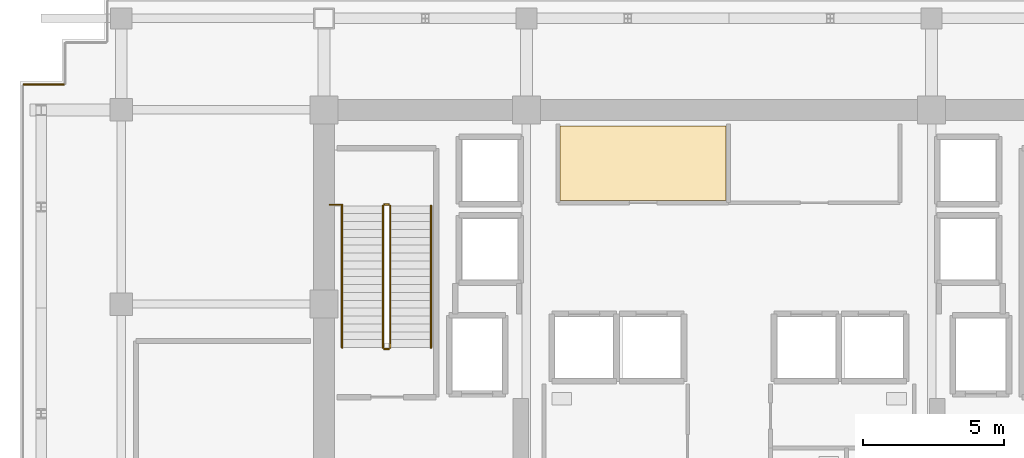
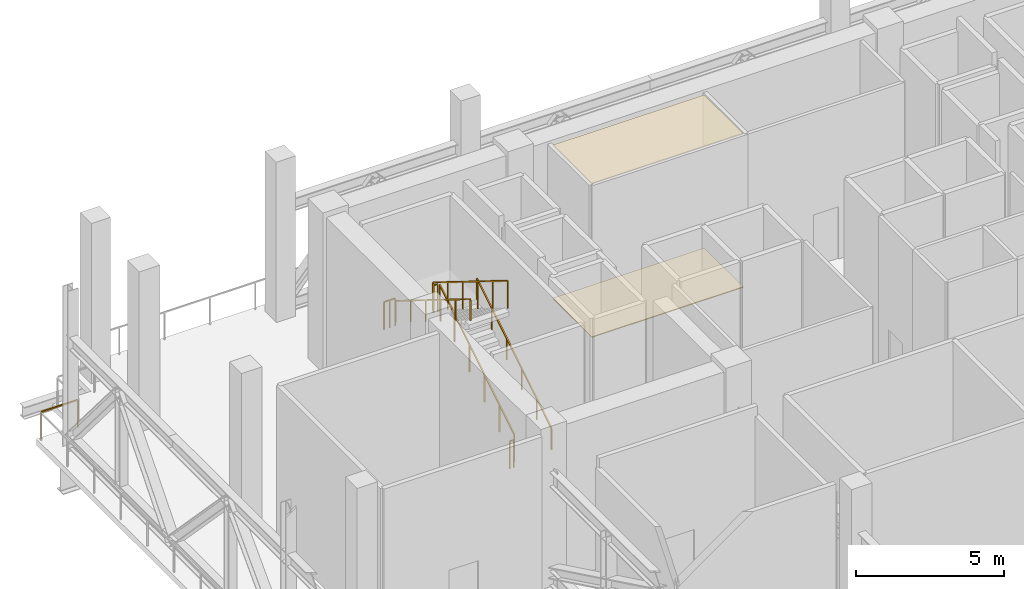
# One storey, part 10 of 13: 8 railings, 2 coverings.
"""IFC4 building model written with IfcOpenShell, lengths in metres."""

from ifc_helpers import new_model, si_unit, direction, frame, origin, origin_2d, place, context, subcontext, project, spatial, polyline, rectangle, outline, extrude, material, layer, layer_set, type_object, element, save


model = new_model("IFC4")

# Units and contexts
model_context = context("Model", 3, precision=1e-05, world=origin(), true_north=direction((0.0, 1.0)))
body_context = subcontext(model_context, "Body", "Model", "MODEL_VIEW")
ifc_project = project(units=[si_unit("LENGTHUNIT", "METRE"), si_unit("AREAUNIT", "SQUARE_METRE"), si_unit("VOLUMEUNIT", "CUBIC_METRE"), si_unit("PLANEANGLEUNIT", "RADIAN"), si_unit("MASSUNIT", "GRAM", prefix="KILO")], contexts=[model_context])

# Site, building, storey
site_placement = place(None, origin())
site = spatial("IfcSite", under=ifc_project, at=site_placement, CompositionType="ELEMENT")
building_placement = place(site_placement, origin())
building = spatial("IfcBuilding", under=site, at=building_placement, Name="Zarnakvel Exchange Tower", CompositionType="ELEMENT")
storey_placement = place(building_placement, frame((0.0, 0.0, 139.60009765625)))
storey = spatial("IfcBuildingStorey", under=building, at=storey_placement, Name="L39", CompositionType="ELEMENT", Elevation=139.60009765625)

# Coverings
ifc_material_1 = material(Name="Perforated Bronze Acoustic Metal Ceiling", Category="aluminium")
ifc_layer_1 = layer(ifc_material_1, 0.02001953125)
ifc_layer_set_1 = layer_set([ifc_layer_1], Name="Perforated Bronze Acoustic Metal Ceiling")
covering_type_1 = type_object("IfcCoveringType", Name="CLG-01", PredefinedType="CEILING", material=ifc_layer_set_1)
covering_1_placement = place(storey_placement, frame((0.0, 0.0, 6.31494140625)))
element("IfcCovering", 1, at=covering_1_placement, inside=storey, type_object=covering_type_1, Name="L39 Suspended Acoustic Ceiling (Settlement Records Suite)", PredefinedType="CEILING", context=body_context, shape_type="SweptSolid", body=[
    extrude(outline(polyline([(-6.0, 12.919921875), (-0.10009765625, 12.919921875), (-0.10009765625, 10.280029296875), (-6.0, 10.280029296875), (-6.0, 12.919921875)])), origin(), (0.0, 0.0, 1.0), 0.02001953125),
])
ifc_material_2 = material(Name="Heavy-Duty Raised Access Floor Panel", Category="steel")
ifc_layer_2 = layer(ifc_material_2, 0.034912109375)
ifc_layer_set_2 = layer_set([ifc_layer_2], Name="Heavy-Duty Raised Access Floor Panel")
covering_type_2 = type_object("IfcCoveringType", Name="FLR-02", PredefinedType="FLOORING", material=ifc_layer_set_2)
covering_2_placement = place(storey_placement, origin())
element("IfcCovering", 2, at=covering_2_placement, inside=storey, type_object=covering_type_2, Name="L39 Floor Finish (Settlement Records Suite)", PredefinedType="FLOORING", context=body_context, shape_type="SweptSolid", body=[
    extrude(outline(polyline([(-6.0, 12.919921875), (-0.10009765625, 12.919921875), (-0.10009765625, 10.280029296875), (-6.0, 10.280029296875), (-6.0, 12.919921875)])), origin(), (0.0, 0.0, 1.0), 0.034912109375),
])

# Railings
ifc_material_3 = material(Name="Architectural Bronze Anodised Aluminium", Category="aluminium")
railing_type_1 = type_object("IfcRailingType", Name="GR-01", PredefinedType="GUARDRAIL", material=ifc_material_3)
railing_1_placement = place(storey_placement, frame((-25.06005859375, 14.39990234375, 0.0)))
element("IfcRailing", 3, at=railing_1_placement, inside=storey, type_object=railing_type_1, Name="L39 Perimeter Guardrail GR-L39-PERIM-02 (GR-01)", PredefinedType="GUARDRAIL", context=body_context, shape_type="SweptSolid", body=[
    extrude(rectangle(XDim=0.048095703125, YDim=0.048095703125, at=origin_2d()), frame((0.0, 0.0, 1.1259765625), z_axis=(1.0, 0.0, 0.0), x_axis=(0.0, 1.0, 0.0)), (0.0, 0.0, 1.0), 1.420166015625),
    extrude(rectangle(XDim=0.0419921875, YDim=0.0419921875, at=origin_2d()), origin(), (0.0, 0.0, 1.0), 1.101806640625),
    extrude(rectangle(XDim=0.0419921875, YDim=0.0419921875, at=origin_2d()), frame((1.420166015625, 0.0, 0.0)), (0.0, 0.0, 1.0), 1.101806640625),
])
ifc_material_4 = material(Name="Brushed Stainless Steel", Category="steel")
railing_type_2 = type_object("IfcRailingType", Name="HR-01", PredefinedType="HANDRAIL", material=ifc_material_4)
railing_2_placement = place(storey_placement, frame((-10.590087890625, 5.050048828125, 0.173583984375)))
element("IfcRailing", 4, at=railing_2_placement, inside=storey, type_object=railing_type_2, Name="L39 ST-01 stair handrail 1", PredefinedType="HANDRAIL", context=body_context, shape_type="SweptSolid", body=[
    extrude(rectangle(XDim=0.048095703125, YDim=0.048095703125, at=origin_2d()), frame((0.0, 0.0, 0.8759765625), z_axis=(0.0, 0.849797224451, 0.527109739348), x_axis=(-1.0, 0.0, 0.0)), (0.0, 0.0, 1.0), 5.930908203125),
    extrude(rectangle(XDim=0.0419921875, YDim=0.0419921875, at=origin_2d()), origin(), (0.0, 0.0, 1.0), 0.851806640625),
    extrude(rectangle(XDim=0.0419921875, YDim=0.0419921875, at=origin_2d()), frame((0.0, 1.008056640625, 0.625244140625)), (0.0, 0.0, 1.0), 0.851806640625),
    extrude(rectangle(XDim=0.0419921875, YDim=0.0419921875, at=origin_2d()), frame((0.0, 2.01611328125, 1.25048828125)), (0.0, 0.0, 1.0), 0.851806640625),
    extrude(rectangle(XDim=0.0419921875, YDim=0.0419921875, at=origin_2d()), frame((0.0, 3.02392578125, 1.875732421875)), (0.0, 0.0, 1.0), 0.851806640625),
    extrude(rectangle(XDim=0.0419921875, YDim=0.0419921875, at=origin_2d()), frame((0.0, 4.031982421875, 2.5009765625)), (0.0, 0.0, 1.0), 0.851806640625),
    extrude(rectangle(XDim=0.0419921875, YDim=0.0419921875, at=origin_2d()), frame((0.0, 5.0400390625, 3.126220703125)), (0.0, 0.0, 1.0), 0.851806640625),
])
railing_3_placement = place(storey_placement, frame((-13.75, 10.090087890625, 3.4736328125)))
element("IfcRailing", 5, at=railing_3_placement, inside=storey, type_object=railing_type_2, Name="L39 ST-01 stair handrail 2", PredefinedType="HANDRAIL", context=body_context, shape_type="SweptSolid", body=[
    extrude(rectangle(XDim=0.048095703125, YDim=0.048095703125, at=origin_2d()), frame((0.0, 0.0, 0.8759765625), z_axis=(0.0, -0.849797224451, 0.527109739348), x_axis=(1.0, 0.0, 0.0)), (0.0, 0.0, 1.0), 5.930908203125),
    extrude(rectangle(XDim=0.0419921875, YDim=0.0419921875, at=origin_2d()), origin(), (0.0, 0.0, 1.0), 0.851806640625),
    extrude(rectangle(XDim=0.0419921875, YDim=0.0419921875, at=origin_2d()), frame((0.0, -1.008056640625, 0.625244140625)), (0.0, 0.0, 1.0), 0.851806640625),
    extrude(rectangle(XDim=0.0419921875, YDim=0.0419921875, at=origin_2d()), frame((0.0, -2.01611328125, 1.25048828125)), (0.0, 0.0, 1.0), 0.851806640625),
    extrude(rectangle(XDim=0.0419921875, YDim=0.0419921875, at=origin_2d()), frame((0.0, -3.02392578125, 1.875732421875)), (0.0, 0.0, 1.0), 0.851806640625),
    extrude(rectangle(XDim=0.0419921875, YDim=0.0419921875, at=origin_2d()), frame((0.0, -4.031982421875, 2.5009765625)), (0.0, 0.0, 1.0), 0.851806640625),
    extrude(rectangle(XDim=0.0419921875, YDim=0.0419921875, at=origin_2d()), frame((0.0, -5.0400390625, 3.126220703125)), (0.0, 0.0, 1.0), 0.851806640625),
])
railing_type_3 = type_object("IfcRailingType", Name="SG-01", PredefinedType="GUARDRAIL", material=ifc_material_3)
railing_4_placement = place(storey_placement, frame((-12.0400390625, 5.050048828125, 0.173583984375)))
element("IfcRailing", 6, at=railing_4_placement, inside=storey, type_object=railing_type_3, Name="L39 ST-01 stair guard 1", PredefinedType="GUARDRAIL", context=body_context, shape_type="SweptSolid", body=[
    extrude(rectangle(XDim=0.048095703125, YDim=0.048095703125, at=origin_2d()), frame((0.0, 0.0, 1.1259765625), z_axis=(0.0, 0.849797224451, 0.527109739348), x_axis=(-1.0, 0.0, 0.0)), (0.0, 0.0, 1.0), 5.930908203125),
    extrude(rectangle(XDim=0.0419921875, YDim=0.0419921875, at=origin_2d()), origin(), (0.0, 0.0, 1.0), 1.101806640625),
    extrude(rectangle(XDim=0.0419921875, YDim=0.0419921875, at=origin_2d()), frame((0.0, 1.008056640625, 0.625244140625)), (0.0, 0.0, 1.0), 1.101806640625),
    extrude(rectangle(XDim=0.0419921875, YDim=0.0419921875, at=origin_2d()), frame((0.0, 2.01611328125, 1.25048828125)), (0.0, 0.0, 1.0), 1.101806640625),
    extrude(rectangle(XDim=0.0419921875, YDim=0.0419921875, at=origin_2d()), frame((0.0, 3.02392578125, 1.875732421875)), (0.0, 0.0, 1.0), 1.101806640625),
    extrude(rectangle(XDim=0.0419921875, YDim=0.0419921875, at=origin_2d()), frame((0.0, 4.031982421875, 2.5009765625)), (0.0, 0.0, 1.0), 1.101806640625),
    extrude(rectangle(XDim=0.0419921875, YDim=0.0419921875, at=origin_2d()), frame((0.0, 5.0400390625, 3.126220703125)), (0.0, 0.0, 1.0), 1.101806640625),
])
railing_5_placement = place(storey_placement, frame((-12.090087890625, 10.139892578125, 3.2998046875)))
element("IfcRailing", 7, at=railing_5_placement, inside=storey, type_object=railing_type_3, Name="L39 ST-01 stair guard 2", PredefinedType="GUARDRAIL", context=body_context, shape_type="SweptSolid", body=[
    extrude(rectangle(XDim=0.048095703125, YDim=0.048095703125, at=origin_2d()), frame((0.0, 0.0, 1.1259765625), z_axis=(-1.0, 0.0, 0.0), x_axis=(0.0, -1.0, 0.0)), (0.0, 0.0, 1.0), 0.159912109375),
    extrude(rectangle(XDim=0.0419921875, YDim=0.0419921875, at=origin_2d()), origin(), (0.0, 0.0, 1.0), 1.101806640625),
    extrude(rectangle(XDim=0.0419921875, YDim=0.0419921875, at=origin_2d()), frame((-0.159912109375, 0.0, 0.0)), (0.0, 0.0, 1.0), 1.101806640625),
])
railing_6_placement = place(storey_placement, frame((-12.300048828125, 10.090087890625, 3.4736328125)))
element("IfcRailing", 8, at=railing_6_placement, inside=storey, type_object=railing_type_3, Name="L39 ST-01 stair guard 3", PredefinedType="GUARDRAIL", context=body_context, shape_type="SweptSolid", body=[
    extrude(rectangle(XDim=0.048095703125, YDim=0.048095703125, at=origin_2d()), frame((0.0, 0.0, 1.1259765625), z_axis=(0.0, -0.849797224451, 0.527109739348), x_axis=(1.0, 0.0, 0.0)), (0.0, 0.0, 1.0), 5.930908203125),
    extrude(rectangle(XDim=0.0419921875, YDim=0.0419921875, at=origin_2d()), origin(), (0.0, 0.0, 1.0), 1.101806640625),
    extrude(rectangle(XDim=0.0419921875, YDim=0.0419921875, at=origin_2d()), frame((0.0, -1.008056640625, 0.625244140625)), (0.0, 0.0, 1.0), 1.101806640625),
    extrude(rectangle(XDim=0.0419921875, YDim=0.0419921875, at=origin_2d()), frame((0.0, -2.01611328125, 1.25048828125)), (0.0, 0.0, 1.0), 1.101806640625),
    extrude(rectangle(XDim=0.0419921875, YDim=0.0419921875, at=origin_2d()), frame((0.0, -3.02392578125, 1.875732421875)), (0.0, 0.0, 1.0), 1.101806640625),
    extrude(rectangle(XDim=0.0419921875, YDim=0.0419921875, at=origin_2d()), frame((0.0, -4.031982421875, 2.5009765625)), (0.0, 0.0, 1.0), 1.101806640625),
    extrude(rectangle(XDim=0.0419921875, YDim=0.0419921875, at=origin_2d()), frame((0.0, -5.0400390625, 3.126220703125)), (0.0, 0.0, 1.0), 1.101806640625),
])
railing_7_placement = place(storey_placement, frame((-12.090087890625, 5.0, 0.0)))
element("IfcRailing", 9, at=railing_7_placement, inside=storey, type_object=railing_type_3, Name="L39 ST-01 stair guard 4", PredefinedType="GUARDRAIL", context=body_context, shape_type="SweptSolid", body=[
    extrude(rectangle(XDim=0.048095703125, YDim=0.048095703125, at=origin_2d()), frame((0.0, 0.0, 1.1259765625), z_axis=(-1.0, 0.0, 0.0), x_axis=(0.0, -1.0, 0.0)), (0.0, 0.0, 1.0), 0.159912109375),
    extrude(rectangle(XDim=0.0419921875, YDim=0.0419921875, at=origin_2d()), origin(), (0.0, 0.0, 1.0), 1.101806640625),
    extrude(rectangle(XDim=0.0419921875, YDim=0.0419921875, at=origin_2d()), frame((-0.159912109375, 0.0, 0.0)), (0.0, 0.0, 1.0), 1.101806640625),
])
railing_8_placement = place(storey_placement, frame((-14.179931640625, 10.1298828125, 3.2998046875)))
element("IfcRailing", 10, at=railing_8_placement, inside=storey, type_object=railing_type_3, Name="L39 ST-01 Landing Slot Guardrail", PredefinedType="GUARDRAIL", context=body_context, shape_type="SweptSolid", body=[
    extrude(rectangle(XDim=0.048095703125, YDim=0.048095703125, at=origin_2d()), frame((0.0, 0.0, 1.1259765625), z_axis=(1.0, 0.0, 0.0), x_axis=(0.0, 1.0, 0.0)), (0.0, 0.0, 1.0), 0.429931640625),
    extrude(rectangle(XDim=0.0419921875, YDim=0.0419921875, at=origin_2d()), origin(), (0.0, 0.0, 1.0), 1.101806640625),
    extrude(rectangle(XDim=0.0419921875, YDim=0.0419921875, at=origin_2d()), frame((0.21484375, 0.0, 0.0)), (0.0, 0.0, 1.0), 1.101806640625),
    extrude(rectangle(XDim=0.0419921875, YDim=0.0419921875, at=origin_2d()), frame((0.429931640625, 0.0, 0.0)), (0.0, 0.0, 1.0), 1.101806640625),
])

save(model, "model.ifc")
